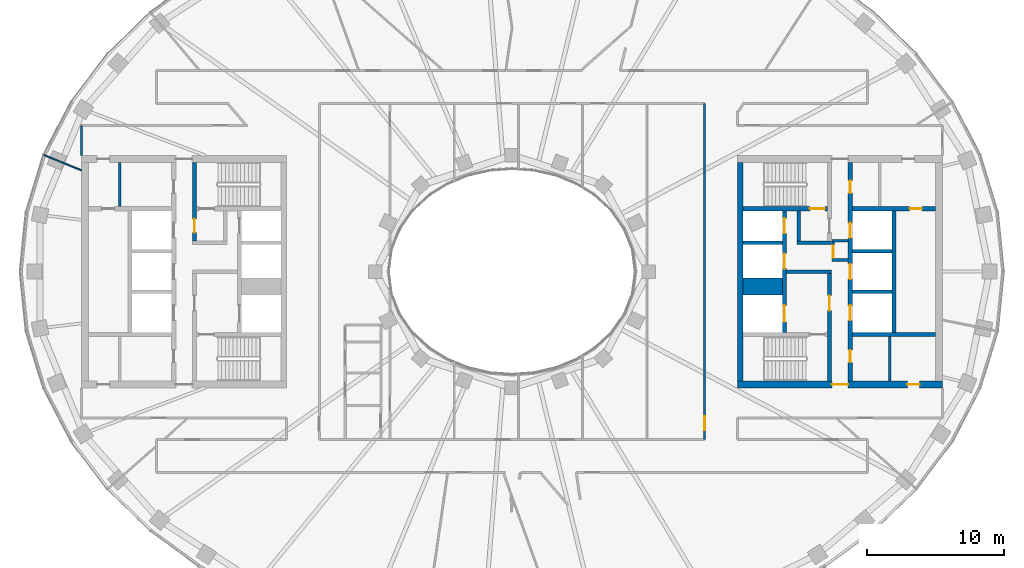
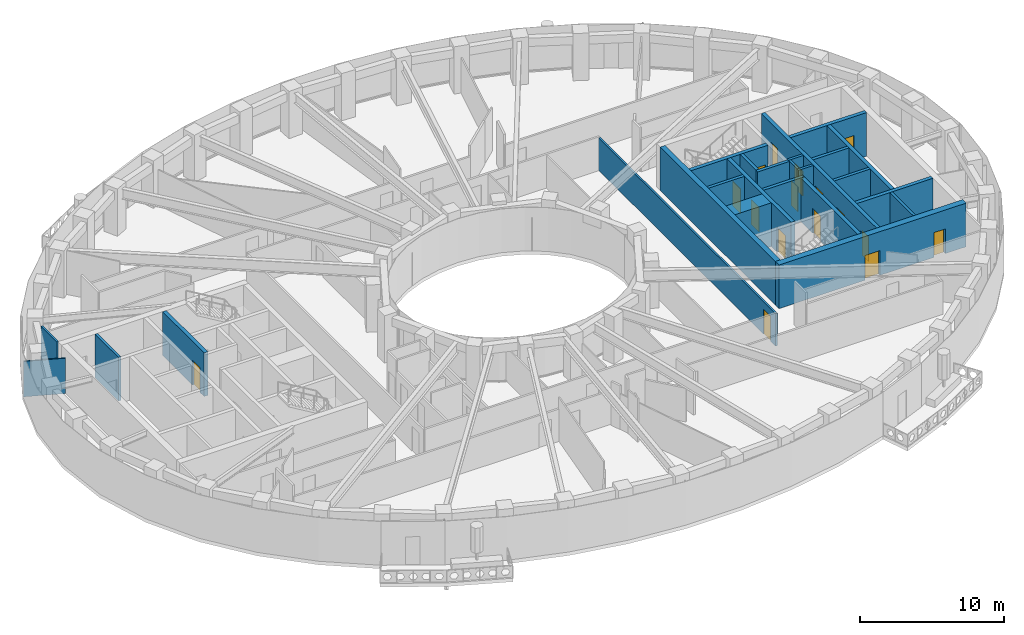
# One storey, part 5 of 15: 25 walls, 16 doors, 16 openings.
"""IFC4 building model written with IfcOpenShell, lengths in metres."""

from ifc_helpers import new_model, si_unit, direction, frame, frame_2d, origin, place, context, subcontext, project, spatial, rectangle, extrude, material, layer, layer_set, type_object, element, fill, save


model = new_model("IFC4")

# Units and contexts
model_context = context("Model", 3, precision=1e-05, world=origin(), true_north=direction((0.0, 1.0)))
body_context = subcontext(model_context, "Body", "Model", "MODEL_VIEW")
ifc_project = project(units=[si_unit("LENGTHUNIT", "METRE"), si_unit("AREAUNIT", "SQUARE_METRE"), si_unit("VOLUMEUNIT", "CUBIC_METRE"), si_unit("PLANEANGLEUNIT", "RADIAN"), si_unit("MASSUNIT", "GRAM", prefix="KILO")], contexts=[model_context])

# Site, building, storey
site_placement = place(None, origin())
site = spatial("IfcSite", under=ifc_project, at=site_placement, CompositionType="ELEMENT")
building_placement = place(site_placement, origin())
building = spatial("IfcBuilding", under=site, at=building_placement, Name="Noorbagh Ring Tower", CompositionType="ELEMENT")
storey_placement = place(building_placement, frame((0.0, 0.0, 253.5)))
storey = spatial("IfcBuildingStorey", under=building, at=storey_placement, Name="L53", CompositionType="ELEMENT", Elevation=253.5)

# Walls
ifc_material_1 = material(Name="Gypsum board on steel studs", Category="steel")
ifc_layer_1 = layer(ifc_material_1, 0.199951171875)
ifc_layer_set_1 = layer_set([ifc_layer_1], Name="Gypsum board on steel studs")
wall_type_1 = type_object("IfcWallType", Name="CORE-PARTITION-200", PredefinedType="PARTITIONING", material=ifc_layer_set_1)
wall_1_placement = place(storey_placement, frame((-28.699951171875, 4.75, 0.0), z_axis=(0.0, 0.0, 1.0), x_axis=(0.0, 1.0, 0.0)))
element("IfcWall", 1, at=wall_1_placement, inside=storey, type_object=wall_type_1, Name="Core partition W", PredefinedType="PARTITIONING", context=body_context, shape_type="SweptSolid", body=[
    extrude(rectangle(XDim=3.25, YDim=0.199951171875, at=frame_2d((1.625, 0.0))), origin(), (0.0, 0.0, 1.0), 3.699951171875),
])
for number, where, z_axis, x_axis, name in (
    (2, (23.39990234375, 0.85009765625, 0.0), (0.0, 0.0, 1.0), (1.0, 0.0, 0.0), "Core partition E"),
    (3, (23.39990234375, 2.25, 0.0), (0.0, 0.0, 1.0), (1.0, 0.0, 0.0), "Core partition E"),
):
    element("IfcWall", number, at=place(storey_placement, frame(where, z_axis=z_axis, x_axis=x_axis)), inside=storey, type_object=wall_type_1, Name=name, PredefinedType="PARTITIONING", context=body_context, shape_type="SweptSolid", body=[
        extrude(rectangle(XDim=1.2001953125, YDim=0.199951171875, at=frame_2d((0.60009765625, 0.0))), origin(), (0.0, 0.0, 1.0), 3.699951171875),
    ])

# Wall, opening, door
wall_2_placement = place(storey_placement, frame((23.5, 0.75, 0.0), z_axis=(0.0, 0.0, 1.0), x_axis=(0.0, 1.0, 0.0)))
wall_2 = element("IfcWall", 4, at=wall_2_placement, inside=storey, type_object=wall_type_1, Name="Core partition E", PredefinedType="PARTITIONING", context=body_context, shape_type="SweptSolid", body=[
    extrude(rectangle(XDim=1.60009765625, YDim=0.199951171875, at=frame_2d((0.800048828125, 0.0))), origin(), (0.0, 0.0, 1.0), 3.699951171875),
])
opening_1_placement = place(wall_2_placement, frame((0.25, 0.0, 0.0)))
opening_1 = element("IfcOpeningElement", 5, at=opening_1_placement, cuts=wall_2, Name="Opening L53-CE17", PredefinedType="OPENING", context=body_context, shape_type="SweptSolid", body=[
    extrude(rectangle(XDim=0.89990234375, YDim=2.10009765625, at=frame_2d((0.449951171875, 1.050048828125))), frame((0.0, 0.10986328125, 0.0), z_axis=(0.0, -1.0, 0.0), x_axis=(1.0, 0.0, 0.0)), (0.0, 0.0, 1.0), 0.219970703125),
])
ifc_material_2 = material(Name="Steel door leaf", Category="steel")
door_type_1 = type_object("IfcDoorType", Name="CORE-DOOR-DROOM", OperationType="SINGLE_SWING_LEFT", PredefinedType="DOOR", material=ifc_material_2)
door_1_placement = place(opening_1_placement, origin())
door_1 = element("IfcDoor", 6, at=door_1_placement, inside=storey, type_object=door_type_1, Name="Core room door L53-CE17", OperationType="SINGLE_SWING_LEFT", OverallHeight=2.10009765625, OverallWidth=0.89990234375, PredefinedType="DOOR", context=body_context, shape_type="SweptSolid", body=[
    extrude(rectangle(XDim=0.89990234375, YDim=2.10009765625, at=frame_2d((0.449951171875, 1.050048828125))), frame((0.0, 0.02490234375, 0.0), z_axis=(0.0, -1.0, 0.0), x_axis=(1.0, 0.0, 0.0)), (0.0, 0.0, 1.0), 0.050048828125),
])
fill(opening_1, door_1)

# Walls
wall_3_placement = place(storey_placement, frame((27.64990234375, -8.0, 0.0), z_axis=(0.0, 0.0, 1.0), x_axis=(0.0, 1.0, 0.0)))
element("IfcWall", 7, at=wall_3_placement, inside=storey, type_object=wall_type_1, Name="Core partition E", PredefinedType="PARTITIONING", context=body_context, shape_type="SweptSolid", body=[
    extrude(rectangle(XDim=3.25, YDim=0.199951171875, at=frame_2d((1.625, 0.0))), origin(), (0.0, 0.0, 1.0), 3.699951171875),
])
ifc_material_3 = material(Name="Concrete C60/75", Category="concrete")
ifc_layer_2 = layer(ifc_material_3, 1.25)
ifc_layer_set_2 = layer_set([ifc_layer_2], Name="Concrete C60/75")
wall_type_2 = type_object("IfcWallType", Name="CORE-WALL-1250-C60-75-EI120", PredefinedType="SHEAR", material=ifc_layer_set_2)
wall_4_placement = place(storey_placement, frame((16.89990234375, -1.074951171875, 0.0), z_axis=(0.0, 0.0, 1.0), x_axis=(1.0, 0.0, 0.0)))
element("IfcWall", 8, at=wall_4_placement, inside=storey, type_object=wall_type_2, Name="Core wall E", PredefinedType="SHEAR", context=body_context, shape_type="SweptSolid", body=[
    extrude(rectangle(XDim=2.900146484375, YDim=1.25, at=frame_2d((1.4501953125, 0.0))), origin(), (0.0, 0.0, 1.0), 3.699951171875),
])
ifc_material_4 = material(Name="Concrete C60/75", Category="concrete")
ifc_layer_3 = layer(ifc_material_4, 0.25)
ifc_layer_set_3 = layer_set([ifc_layer_3], Name="Concrete C60/75")
wall_type_3 = type_object("IfcWallType", Name="CORE-WALL-250-C60-75-EI120", PredefinedType="SHEAR", material=ifc_layer_set_3)
for number, where, z_axis, x_axis, name in (
    (9, (16.89990234375, 2.125, 0.0), (0.0, 0.0, 1.0), (1.0, 0.0, 0.0), "Core wall E"),
    (10, (24.89990234375, -1.47509765625, 0.0), (0.0, 0.0, 1.0), (1.0, 0.0, 0.0), "Core wall E"),
    (11, (24.89990234375, 1.47509765625, 0.0), (0.0, 0.0, 1.0), (1.0, 0.0, 0.0), "Core wall E"),
):
    element("IfcWall", number, at=place(storey_placement, frame(where, z_axis=z_axis, x_axis=x_axis)), inside=storey, type_object=wall_type_3, Name=name, PredefinedType="SHEAR", context=body_context, shape_type="SweptSolid", body=[
        extrude(rectangle(XDim=2.900146484375, YDim=0.25, at=frame_2d((1.4501953125, 0.0))), origin(), (0.0, 0.0, 1.0), 3.699951171875),
    ])
ifc_material_5 = material(Name="Concrete C60/75", Category="concrete")
ifc_layer_4 = layer(ifc_material_5, 0.25)
ifc_layer_set_4 = layer_set([ifc_layer_4], Name="Concrete C60/75")
wall_type_4 = type_object("IfcWallType", Name="CORE-WALL-250-C60-75-EI240", PredefinedType="SHEAR", material=ifc_layer_set_4)
wall_5_placement = place(storey_placement, frame((20.10009765625, 0.0, 0.0), z_axis=(0.0, 0.0, 1.0), x_axis=(1.0, 0.0, 0.0)))
element("IfcWall", 12, at=wall_5_placement, inside=storey, type_object=wall_type_4, Name="Core wall E", PredefinedType="SHEAR", context=body_context, shape_type="SweptSolid", body=[
    extrude(rectangle(XDim=3.27978515625, YDim=0.25, at=frame_2d((1.639892578125, 0.0))), origin(), (0.0, 0.0, 1.0), 3.699951171875),
])
wall_6_placement = place(storey_placement, frame((20.85009765625, 2.125, 0.0), z_axis=(0.0, 0.0, 1.0), x_axis=(1.0, 0.0, 0.0)))
element("IfcWall", 13, at=wall_6_placement, inside=storey, type_object=wall_type_4, Name="Core wall E", PredefinedType="SHEAR", context=body_context, shape_type="SweptSolid", body=[
    extrude(rectangle(XDim=2.52978515625, YDim=0.25, at=frame_2d((1.264892578125, 0.0))), origin(), (0.0, 0.0, 1.0), 3.699951171875),
])
wall_7_placement = place(storey_placement, frame((20.97509765625, 2.25, 0.0), z_axis=(0.0, 0.0, 1.0), x_axis=(0.0, 1.0, 0.0)))
element("IfcWall", 14, at=wall_7_placement, inside=storey, type_object=wall_type_4, Name="Core wall E", PredefinedType="SHEAR", context=body_context, shape_type="SweptSolid", body=[
    extrude(rectangle(XDim=2.199951171875, YDim=0.25, at=frame_2d((1.10009765625, 0.0))), origin(), (0.0, 0.0, 1.0), 3.699951171875),
])
ifc_material_6 = material(Name="Concrete C60/75", Category="concrete")
ifc_layer_5 = layer(ifc_material_6, 0.300048828125)
ifc_layer_set_5 = layer_set([ifc_layer_5], Name="Concrete C60/75")
wall_type_5 = type_object("IfcWallType", Name="CORE-WALL-300-C60-75-EI120", PredefinedType="SHEAR", material=ifc_layer_set_5)
wall_8_placement = place(storey_placement, frame((27.949951171875, -4.449951171875, 0.0), z_axis=(0.0, 0.0, 1.0), x_axis=(0.0, 1.0, 0.0)))
element("IfcWall", 15, at=wall_8_placement, inside=storey, type_object=wall_type_5, Name="Core wall E", PredefinedType="SHEAR", context=body_context, shape_type="SweptSolid", body=[
    extrude(rectangle(XDim=8.89990234375, YDim=0.300048828125, at=frame_2d((4.449951171875, 0.0))), origin(), (0.0, 0.0, 1.0), 3.699951171875),
])

# Wall, openings, doors
wall_9_placement = place(storey_placement, frame((19.949951171875, -4.449951171875, 0.0), z_axis=(0.0, 0.0, 1.0), x_axis=(0.0, 1.0, 0.0)))
wall_9 = element("IfcWall", 16, at=wall_9_placement, inside=storey, type_object=wall_type_5, Name="Core wall E", PredefinedType="SHEAR", context=body_context, shape_type="SweptSolid", body=[
    extrude(rectangle(XDim=8.89990234375, YDim=0.300048828125, at=frame_2d((4.449951171875, 0.0))), origin(), (0.0, 0.0, 1.0), 3.699951171875),
])
opening_2_placement = place(wall_9_placement, frame((0.77490234375, 0.0, 0.0)))
opening_2 = element("IfcOpeningElement", 17, at=opening_2_placement, cuts=wall_9, Name="Opening L53-CE01", PredefinedType="OPENING", context=body_context, shape_type="SweptSolid", body=[
    extrude(rectangle(XDim=1.199951171875, YDim=2.10009765625, at=frame_2d((0.60009765625, 1.050048828125))), frame((0.0, 0.16015625, 0.0), z_axis=(0.0, -1.0, 0.0), x_axis=(1.0, 0.0, 0.0)), (0.0, 0.0, 1.0), 0.320068359375),
])
opening_3_placement = place(wall_9_placement, frame((4.675048828125, 0.0, 0.0)))
opening_3 = element("IfcOpeningElement", 18, at=opening_3_placement, cuts=wall_9, Name="Opening L53-CE02", PredefinedType="OPENING", context=body_context, shape_type="SweptSolid", body=[
    extrude(rectangle(XDim=1.10009765625, YDim=2.10009765625, at=frame_2d((0.550048828125, 1.050048828125))), frame((0.0, 0.16015625, 0.0), z_axis=(0.0, -1.0, 0.0), x_axis=(1.0, 0.0, 0.0)), (0.0, 0.0, 1.0), 0.320068359375),
])
opening_4_placement = place(wall_9_placement, frame((7.25, 0.0, 0.0)))
opening_4 = element("IfcOpeningElement", 19, at=opening_4_placement, cuts=wall_9, Name="Opening L53-CE03", PredefinedType="OPENING", context=body_context, shape_type="SweptSolid", body=[
    extrude(rectangle(XDim=1.10009765625, YDim=2.10009765625, at=frame_2d((0.550048828125, 1.050048828125))), frame((0.0, 0.16015625, 0.0), z_axis=(0.0, -1.0, 0.0), x_axis=(1.0, 0.0, 0.0)), (0.0, 0.0, 1.0), 0.320068359375),
])
ifc_material_7 = material(Name="Steel door leaf", Category="steel")
door_type_2 = type_object("IfcDoorType", Name="CORE-DOOR-LD", OperationType="DOUBLE_DOOR_SLIDING", PredefinedType="DOOR", material=ifc_material_7)
door_2_placement = place(opening_3_placement, origin())
door_2 = element("IfcDoor", 20, at=door_2_placement, inside=storey, type_object=door_type_2, Name="Landing door HR7 L53-CE02", OperationType="DOUBLE_DOOR_SLIDING", OverallHeight=2.10009765625, OverallWidth=1.10009765625, PredefinedType="DOOR", context=body_context, shape_type="SweptSolid", body=[
    extrude(rectangle(XDim=1.10009765625, YDim=2.10009765625, at=frame_2d((0.550048828125, 1.050048828125))), frame((0.0, 0.02490234375, 0.0), z_axis=(0.0, -1.0, 0.0), x_axis=(1.0, 0.0, 0.0)), (0.0, 0.0, 1.0), 0.050048828125),
])
fill(opening_3, door_2)
door_3_placement = place(opening_4_placement, origin())
door_3 = element("IfcDoor", 21, at=door_3_placement, inside=storey, type_object=door_type_2, Name="Landing door HR8 L53-CE03", OperationType="DOUBLE_DOOR_SLIDING", OverallHeight=2.10009765625, OverallWidth=1.10009765625, PredefinedType="DOOR", context=body_context, shape_type="SweptSolid", body=[
    extrude(rectangle(XDim=1.10009765625, YDim=2.10009765625, at=frame_2d((0.550048828125, 1.050048828125))), frame((0.0, 0.02490234375, 0.0), z_axis=(0.0, -1.0, 0.0), x_axis=(1.0, 0.0, 0.0)), (0.0, 0.0, 1.0), 0.050048828125),
])
fill(opening_4, door_3)
ifc_material_8 = material(Name="Steel door leaf", Category="steel")
door_type_3 = type_object("IfcDoorType", Name="CORE-DOOR-LDW", OperationType="DOUBLE_DOOR_SLIDING", PredefinedType="DOOR", material=ifc_material_8)
door_4_placement = place(opening_2_placement, origin())
door_4 = element("IfcDoor", 22, at=door_4_placement, inside=storey, type_object=door_type_3, Name="Landing door FF2 L53-CE01", OperationType="DOUBLE_DOOR_SLIDING", OverallHeight=2.10009765625, OverallWidth=1.199951171875, PredefinedType="DOOR", context=body_context, shape_type="SweptSolid", body=[
    extrude(rectangle(XDim=1.199951171875, YDim=2.10009765625, at=frame_2d((0.60009765625, 1.050048828125))), frame((0.0, 0.02490234375, 0.0), z_axis=(0.0, -1.0, 0.0), x_axis=(1.0, 0.0, 0.0)), (0.0, 0.0, 1.0), 0.050048828125),
])
fill(opening_2, door_4)

wall_10_placement = place(storey_placement, frame((24.75, -8.0, 0.0), z_axis=(0.0, 0.0, 1.0), x_axis=(0.0, 1.0, 0.0)))
wall_10 = element("IfcWall", 23, at=wall_10_placement, inside=storey, type_object=wall_type_5, Name="Core wall E", PredefinedType="SHEAR", context=body_context, shape_type="SweptSolid", body=[
    extrude(rectangle(XDim=16.0, YDim=0.300048828125, at=frame_2d((8.0, 0.0))), origin(), (0.0, 0.0, 1.0), 3.699951171875),
])
opening_5_placement = place(wall_10_placement, frame((4.425048828125, 0.0, 0.0)))
opening_5 = element("IfcOpeningElement", 24, at=opening_5_placement, cuts=wall_10, Name="Opening L53-CE04", PredefinedType="OPENING", context=body_context, shape_type="SweptSolid", body=[
    extrude(rectangle(XDim=1.10009765625, YDim=2.10009765625, at=frame_2d((0.550048828125, 1.050048828125))), frame((0.0, 0.16015625, 0.0), z_axis=(0.0, -1.0, 0.0), x_axis=(1.0, 0.0, 0.0)), (0.0, 0.0, 1.0), 0.320068359375),
])
opening_6_placement = place(wall_10_placement, frame((7.449951171875, 0.0, 0.0)))
opening_6 = element("IfcOpeningElement", 25, at=opening_6_placement, cuts=wall_10, Name="Opening L53-CE05", PredefinedType="OPENING", context=body_context, shape_type="SweptSolid", body=[
    extrude(rectangle(XDim=1.10009765625, YDim=2.10009765625, at=frame_2d((0.550048828125, 1.050048828125))), frame((0.0, 0.16015625, 0.0), z_axis=(0.0, -1.0, 0.0), x_axis=(1.0, 0.0, 0.0)), (0.0, 0.0, 1.0), 0.320068359375),
])
opening_7_placement = place(wall_10_placement, frame((10.47509765625, 0.0, 0.0)))
opening_7 = element("IfcOpeningElement", 26, at=opening_7_placement, cuts=wall_10, Name="Opening L53-CE06", PredefinedType="OPENING", context=body_context, shape_type="SweptSolid", body=[
    extrude(rectangle(XDim=1.10009765625, YDim=2.10009765625, at=frame_2d((0.550048828125, 1.050048828125))), frame((0.0, 0.16015625, 0.0), z_axis=(0.0, -1.0, 0.0), x_axis=(1.0, 0.0, 0.0)), (0.0, 0.0, 1.0), 0.320068359375),
])
opening_8_placement = place(wall_10_placement, frame((13.75, 0.0, 0.0)))
opening_8 = element("IfcOpeningElement", 27, at=opening_8_placement, cuts=wall_10, Name="Opening L53-CE13", PredefinedType="OPENING", context=body_context, shape_type="SweptSolid", body=[
    extrude(rectangle(XDim=0.89990234375, YDim=2.10009765625, at=frame_2d((0.449951171875, 1.050048828125))), frame((0.0, 0.16015625, 0.0), z_axis=(0.0, -1.0, 0.0), x_axis=(1.0, 0.0, 0.0)), (0.0, 0.0, 1.0), 0.320068359375),
])
opening_9_placement = place(wall_10_placement, frame((1.35009765625, 0.0, 0.0)))
opening_9 = element("IfcOpeningElement", 28, at=opening_9_placement, cuts=wall_10, Name="Opening L53-CE15", PredefinedType="OPENING", context=body_context, shape_type="SweptSolid", body=[
    extrude(rectangle(XDim=0.89990234375, YDim=2.10009765625, at=frame_2d((0.449951171875, 1.050048828125))), frame((0.0, 0.16015625, 0.0), z_axis=(0.0, -1.0, 0.0), x_axis=(1.0, 0.0, 0.0)), (0.0, 0.0, 1.0), 0.320068359375),
])
door_5_placement = place(opening_8_placement, origin())
door_5 = element("IfcDoor", 29, at=door_5_placement, inside=storey, type_object=door_type_1, Name="Core room door L53-CE13", OperationType="SINGLE_SWING_LEFT", OverallHeight=2.10009765625, OverallWidth=0.89990234375, PredefinedType="DOOR", context=body_context, shape_type="SweptSolid", body=[
    extrude(rectangle(XDim=0.89990234375, YDim=2.10009765625, at=frame_2d((0.449951171875, 1.050048828125))), frame((0.0, 0.02490234375, 0.0), z_axis=(0.0, -1.0, 0.0), x_axis=(1.0, 0.0, 0.0)), (0.0, 0.0, 1.0), 0.050048828125),
])
fill(opening_8, door_5)
door_6_placement = place(opening_9_placement, origin())
door_6 = element("IfcDoor", 30, at=door_6_placement, inside=storey, type_object=door_type_1, Name="Core room door L53-CE15", OperationType="SINGLE_SWING_RIGHT", OverallHeight=2.10009765625, OverallWidth=0.89990234375, PredefinedType="DOOR", context=body_context, shape_type="SweptSolid", body=[
    extrude(rectangle(XDim=0.89990234375, YDim=2.10009765625, at=frame_2d((0.449951171875, 1.050048828125))), frame((0.0, 0.02490234375, 0.0), z_axis=(0.0, -1.0, 0.0), x_axis=(1.0, 0.0, 0.0)), (0.0, 0.0, 1.0), 0.050048828125),
])
fill(opening_9, door_6)
door_7_placement = place(opening_5_placement, origin())
door_7 = element("IfcDoor", 31, at=door_7_placement, inside=storey, type_object=door_type_2, Name="Landing door HR9 L53-CE04", OperationType="DOUBLE_DOOR_SLIDING", OverallHeight=2.10009765625, OverallWidth=1.10009765625, PredefinedType="DOOR", context=body_context, shape_type="SweptSolid", body=[
    extrude(rectangle(XDim=1.10009765625, YDim=2.10009765625, at=frame_2d((0.550048828125, 1.050048828125))), frame((0.0, 0.02490234375, 0.0), z_axis=(0.0, -1.0, 0.0), x_axis=(1.0, 0.0, 0.0)), (0.0, 0.0, 1.0), 0.050048828125),
])
fill(opening_5, door_7)
door_8_placement = place(opening_6_placement, origin())
door_8 = element("IfcDoor", 32, at=door_8_placement, inside=storey, type_object=door_type_2, Name="Landing door HR10 L53-CE05", OperationType="DOUBLE_DOOR_SLIDING", OverallHeight=2.10009765625, OverallWidth=1.10009765625, PredefinedType="DOOR", context=body_context, shape_type="SweptSolid", body=[
    extrude(rectangle(XDim=1.10009765625, YDim=2.10009765625, at=frame_2d((0.550048828125, 1.050048828125))), frame((0.0, 0.02490234375, 0.0), z_axis=(0.0, -1.0, 0.0), x_axis=(1.0, 0.0, 0.0)), (0.0, 0.0, 1.0), 0.050048828125),
])
fill(opening_6, door_8)
door_9_placement = place(opening_7_placement, origin())
door_9 = element("IfcDoor", 33, at=door_9_placement, inside=storey, type_object=door_type_2, Name="Landing door HR11 L53-CE06", OperationType="DOUBLE_DOOR_SLIDING", OverallHeight=2.10009765625, OverallWidth=1.10009765625, PredefinedType="DOOR", context=body_context, shape_type="SweptSolid", body=[
    extrude(rectangle(XDim=1.10009765625, YDim=2.10009765625, at=frame_2d((0.550048828125, 1.050048828125))), frame((0.0, 0.02490234375, 0.0), z_axis=(0.0, -1.0, 0.0), x_axis=(1.0, 0.0, 0.0)), (0.0, 0.0, 1.0), 0.050048828125),
])
fill(opening_7, door_9)

# Wall, opening, door
ifc_material_9 = material(Name="Concrete C60/75", Category="concrete")
ifc_layer_6 = layer(ifc_material_9, 0.300048828125)
ifc_layer_set_6 = layer_set([ifc_layer_6], Name="Concrete C60/75")
wall_type_6 = type_object("IfcWallType", Name="CORE-WALL-300-C60-75-EI240", PredefinedType="SHEAR", material=ifc_layer_set_6)
wall_11_placement = place(storey_placement, frame((-23.22998046875, 2.25, 0.0), z_axis=(0.0, 0.0, 1.0), x_axis=(0.0, 1.0, 0.0)))
wall_11 = element("IfcWall", 34, at=wall_11_placement, inside=storey, type_object=wall_type_6, Name="Core wall W", PredefinedType="SHEAR", context=body_context, shape_type="SweptSolid", body=[
    extrude(rectangle(XDim=5.75, YDim=0.300048828125, at=frame_2d((2.875, 0.0))), origin(), (0.0, 0.0, 1.0), 3.699951171875),
])
opening_10_placement = place(wall_11_placement, frame((0.60009765625, 0.0, 0.0)))
opening_10 = element("IfcOpeningElement", 35, at=opening_10_placement, cuts=wall_11, Name="Opening L53-CW09", PredefinedType="OPENING", context=body_context, shape_type="SweptSolid", body=[
    extrude(rectangle(XDim=1.0, YDim=2.10009765625, at=frame_2d((0.5, 1.050048828125))), frame((0.0, 0.16015625, 0.0), z_axis=(0.0, -1.0, 0.0), x_axis=(1.0, 0.0, 0.0)), (0.0, 0.0, 1.0), 0.320068359375),
])
ifc_material_10 = material(Name="Steel door leaf", Category="steel")
door_type_4 = type_object("IfcDoorType", Name="CORE-DOOR-DVEST", OperationType="SINGLE_SWING_LEFT", PredefinedType="DOOR", material=ifc_material_10)
door_10_placement = place(opening_10_placement, origin())
door_10 = element("IfcDoor", 36, at=door_10_placement, inside=storey, type_object=door_type_4, Name="Stair vestibule door L53-CW09", OperationType="SINGLE_SWING_LEFT", OverallHeight=2.10009765625, OverallWidth=1.0, PredefinedType="DOOR", context=body_context, shape_type="SweptSolid", body=[
    extrude(rectangle(XDim=1.0, YDim=2.10009765625, at=frame_2d((0.5, 1.050048828125))), frame((0.0, 0.02490234375, 0.0), z_axis=(0.0, -1.0, 0.0), x_axis=(1.0, 0.0, 0.0)), (0.0, 0.0, 1.0), 0.050048828125),
])
fill(opening_10, door_10)

wall_12_placement = place(storey_placement, frame((24.89990234375, 4.60009765625, 0.0), z_axis=(0.0, 0.0, 1.0), x_axis=(1.0, 0.0, 0.0)))
wall_12 = element("IfcWall", 37, at=wall_12_placement, inside=storey, type_object=wall_type_6, Name="Core wall E", PredefinedType="SHEAR", context=body_context, shape_type="SweptSolid", body=[
    extrude(rectangle(XDim=6.10009765625, YDim=0.300048828125, at=frame_2d((3.050048828125, 0.0))), origin(), (0.0, 0.0, 1.0), 3.699951171875),
])
opening_11_placement = place(wall_12_placement, frame((4.199951171875, 0.0, 0.0)))
opening_11 = element("IfcOpeningElement", 38, at=opening_11_placement, cuts=wall_12, Name="Opening L53-CE18", PredefinedType="OPENING", context=body_context, shape_type="SweptSolid", body=[
    extrude(rectangle(XDim=0.89990234375, YDim=2.10009765625, at=frame_2d((0.449951171875, 1.050048828125))), frame((0.0, 0.16015625, 0.0), z_axis=(0.0, -1.0, 0.0), x_axis=(1.0, 0.0, 0.0)), (0.0, 0.0, 1.0), 0.320068359375),
])
door_11_placement = place(opening_11_placement, origin())
door_11 = element("IfcDoor", 39, at=door_11_placement, inside=storey, type_object=door_type_1, Name="Core room door L53-CE18", OperationType="SINGLE_SWING_RIGHT", OverallHeight=2.10009765625, OverallWidth=0.89990234375, PredefinedType="DOOR", context=body_context, shape_type="SweptSolid", body=[
    extrude(rectangle(XDim=0.89990234375, YDim=2.10009765625, at=frame_2d((0.449951171875, 1.050048828125))), frame((0.0, 0.02490234375, 0.0), z_axis=(0.0, -1.0, 0.0), x_axis=(1.0, 0.0, 0.0)), (0.0, 0.0, 1.0), 0.050048828125),
])
fill(opening_11, door_11)

# Wall
wall_13_placement = place(storey_placement, frame((24.89990234375, -4.60009765625, 0.0), z_axis=(0.0, 0.0, 1.0), x_axis=(1.0, 0.0, 0.0)))
element("IfcWall", 40, at=wall_13_placement, inside=storey, type_object=wall_type_6, Name="Core wall E", PredefinedType="SHEAR", context=body_context, shape_type="SweptSolid", body=[
    extrude(rectangle(XDim=6.10009765625, YDim=0.300048828125, at=frame_2d((3.050048828125, 0.0))), origin(), (0.0, 0.0, 1.0), 3.699951171875),
])

# Wall, opening, door
wall_14_placement = place(storey_placement, frame((23.22998046875, -8.0, 0.0), z_axis=(0.0, 0.0, 1.0), x_axis=(0.0, 1.0, 0.0)))
wall_14 = element("IfcWall", 41, at=wall_14_placement, inside=storey, type_object=wall_type_6, Name="Core wall E", PredefinedType="SHEAR", context=body_context, shape_type="SweptSolid", body=[
    extrude(rectangle(XDim=7.875, YDim=0.300048828125, at=frame_2d((3.9375, 0.0))), origin(), (0.0, 0.0, 1.0), 3.699951171875),
])
opening_12_placement = place(wall_14_placement, frame((5.14990234375, 0.0, 0.0)))
opening_12 = element("IfcOpeningElement", 42, at=opening_12_placement, cuts=wall_14, Name="Opening L53-CE09", PredefinedType="OPENING", context=body_context, shape_type="SweptSolid", body=[
    extrude(rectangle(XDim=1.10009765625, YDim=2.10009765625, at=frame_2d((0.550048828125, 1.050048828125))), frame((0.0, 0.16015625, 0.0), z_axis=(0.0, -1.0, 0.0), x_axis=(1.0, 0.0, 0.0)), (0.0, 0.0, 1.0), 0.320068359375),
])
ifc_material_11 = material(Name="Steel door leaf", Category="steel")
door_type_5 = type_object("IfcDoorType", Name="CORE-DOOR-DFF", OperationType="SINGLE_SWING_LEFT", PredefinedType="DOOR", material=ifc_material_11)
door_12_placement = place(opening_12_placement, origin())
door_12 = element("IfcDoor", 43, at=door_12_placement, inside=storey, type_object=door_type_5, Name="Firefighting lobby door L53-CE09", OperationType="SINGLE_SWING_RIGHT", OverallHeight=2.10009765625, OverallWidth=1.10009765625, PredefinedType="DOOR", context=body_context, shape_type="SweptSolid", body=[
    extrude(rectangle(XDim=1.10009765625, YDim=2.10009765625, at=frame_2d((0.550048828125, 1.050048828125))), frame((0.0, 0.02490234375, 0.0), z_axis=(0.0, -1.0, 0.0), x_axis=(1.0, 0.0, 0.0)), (0.0, 0.0, 1.0), 0.050048828125),
])
fill(opening_12, door_12)

wall_15_placement = place(storey_placement, frame((16.89990234375, 4.60009765625, 0.0), z_axis=(0.0, 0.0, 1.0), x_axis=(1.0, 0.0, 0.0)))
wall_15 = element("IfcWall", 44, at=wall_15_placement, inside=storey, type_object=wall_type_6, Name="Core wall E", PredefinedType="SHEAR", context=body_context, shape_type="SweptSolid", body=[
    extrude(rectangle(XDim=6.18017578125, YDim=0.300048828125, at=frame_2d((3.090087890625, 0.0))), origin(), (0.0, 0.0, 1.0), 3.699951171875),
])
opening_13_placement = place(wall_15_placement, frame((4.89990234375, 0.0, 0.0)))
opening_13 = element("IfcOpeningElement", 45, at=opening_13_placement, cuts=wall_15, Name="Opening L53-CE07", PredefinedType="OPENING", context=body_context, shape_type="SweptSolid", body=[
    extrude(rectangle(XDim=1.10009765625, YDim=2.10009765625, at=frame_2d((0.550048828125, 1.050048828125))), frame((0.0, 0.16015625, 0.0), z_axis=(0.0, -1.0, 0.0), x_axis=(1.0, 0.0, 0.0)), (0.0, 0.0, 1.0), 0.320068359375),
])
ifc_material_12 = material(Name="Steel door leaf", Category="steel")
door_type_6 = type_object("IfcDoorType", Name="CORE-DOOR-DSTAIR", OperationType="SINGLE_SWING_LEFT", PredefinedType="DOOR", material=ifc_material_12)
door_13_placement = place(opening_13_placement, origin())
door_13 = element("IfcDoor", 46, at=door_13_placement, inside=storey, type_object=door_type_6, Name="Stair door ST3 L53-CE07", OperationType="SINGLE_SWING_LEFT", OverallHeight=2.10009765625, OverallWidth=1.10009765625, PredefinedType="DOOR", context=body_context, shape_type="SweptSolid", body=[
    extrude(rectangle(XDim=1.10009765625, YDim=2.10009765625, at=frame_2d((0.550048828125, 1.050048828125))), frame((0.0, 0.02490234375, 0.0), z_axis=(0.0, -1.0, 0.0), x_axis=(1.0, 0.0, 0.0)), (0.0, 0.0, 1.0), 0.050048828125),
])
fill(opening_13, door_13)

# Wall
ifc_material_13 = material(Name="Concrete C60/75", Category="concrete")
ifc_layer_7 = layer(ifc_material_13, 0.39990234375)
ifc_layer_set_7 = layer_set([ifc_layer_7], Name="Concrete C60/75")
wall_type_7 = type_object("IfcWallType", Name="CORE-WALL-400-C60-75-EI240", PredefinedType="SHEAR", material=ifc_layer_set_7)
wall_16_placement = place(storey_placement, frame((16.699951171875, -8.0, 0.0), z_axis=(0.0, 0.0, 1.0), x_axis=(0.0, 1.0, 0.0)))
element("IfcWall", 47, at=wall_16_placement, inside=storey, type_object=wall_type_7, Name="Core wall E", PredefinedType="SHEAR", context=body_context, shape_type="SweptSolid", body=[
    extrude(rectangle(XDim=16.0, YDim=0.39990234375, at=frame_2d((8.0, 0.0))), origin(), (0.0, 0.0, 1.0), 3.699951171875),
])

# Wall, openings, doors
ifc_material_14 = material(Name="Concrete C60/75", Category="concrete")
ifc_layer_8 = layer(ifc_material_14, 0.5)
ifc_layer_set_8 = layer_set([ifc_layer_8], Name="Concrete C60/75")
wall_type_8 = type_object("IfcWallType", Name="CORE-WALL-500-C60-75-EI240", PredefinedType="SHEAR", material=ifc_layer_set_8)
wall_17_placement = place(storey_placement, frame((16.5, -8.25, 0.0), z_axis=(0.0, 0.0, 1.0), x_axis=(1.0, 0.0, 0.0)))
wall_17 = element("IfcWall", 48, at=wall_17_placement, inside=storey, type_object=wall_type_8, Name="Core wall E", PredefinedType="SHEAR", context=body_context, shape_type="SweptSolid", body=[
    extrude(rectangle(XDim=15.0, YDim=0.5, at=frame_2d((7.5, 0.0))), origin(), (0.0, 0.0, 1.0), 3.699951171875),
])
opening_14_placement = place(wall_17_placement, frame((6.89990234375, 0.0, 0.0)))
opening_14 = element("IfcOpeningElement", 49, at=opening_14_placement, cuts=wall_17, Name="Opening L53-CE12", PredefinedType="OPENING", context=body_context, shape_type="SweptSolid", body=[
    extrude(rectangle(XDim=1.199951171875, YDim=2.10009765625, at=frame_2d((0.60009765625, 1.050048828125))), frame((0.0, 0.260009765625, 0.0), z_axis=(0.0, -1.0, 0.0), x_axis=(1.0, 0.0, 0.0)), (0.0, 0.0, 1.0), 0.52001953125),
])
opening_15_placement = place(wall_17_placement, frame((12.425048828125, 0.0, 0.0)))
opening_15 = element("IfcOpeningElement", 50, at=opening_15_placement, cuts=wall_17, Name="Opening L53-CE16", PredefinedType="OPENING", context=body_context, shape_type="SweptSolid", body=[
    extrude(rectangle(XDim=0.89990234375, YDim=2.10009765625, at=frame_2d((0.449951171875, 1.050048828125))), frame((0.0, 0.260009765625, 0.0), z_axis=(0.0, -1.0, 0.0), x_axis=(1.0, 0.0, 0.0)), (0.0, 0.0, 1.0), 0.52001953125),
])
door_14_placement = place(opening_15_placement, origin())
door_14 = element("IfcDoor", 51, at=door_14_placement, inside=storey, type_object=door_type_1, Name="Core room door L53-CE16", OperationType="SINGLE_SWING_RIGHT", OverallHeight=2.10009765625, OverallWidth=0.89990234375, PredefinedType="DOOR", context=body_context, shape_type="SweptSolid", body=[
    extrude(rectangle(XDim=0.89990234375, YDim=2.10009765625, at=frame_2d((0.449951171875, 1.050048828125))), frame((0.0, 0.02490234375, 0.0), z_axis=(0.0, -1.0, 0.0), x_axis=(1.0, 0.0, 0.0)), (0.0, 0.0, 1.0), 0.050048828125),
])
fill(opening_15, door_14)
ifc_material_15 = material(Name="Steel door leaf", Category="steel")
door_type_7 = type_object("IfcDoorType", Name="CORE-DOOR-PORT", OperationType="DOUBLE_DOOR_DOUBLE_SWING", PredefinedType="DOOR", material=ifc_material_15)
door_15_placement = place(opening_14_placement, origin())
door_15 = element("IfcDoor", 52, at=door_15_placement, inside=storey, type_object=door_type_7, Name="Core entrance door L53-CE12", OperationType="DOUBLE_DOOR_DOUBLE_SWING", OverallHeight=2.10009765625, OverallWidth=1.199951171875, PredefinedType="DOOR", context=body_context, shape_type="SweptSolid", body=[
    extrude(rectangle(XDim=1.199951171875, YDim=2.10009765625, at=frame_2d((0.60009765625, 1.050048828125))), frame((0.0, 0.02490234375, 0.0), z_axis=(0.0, -1.0, 0.0), x_axis=(1.0, 0.0, 0.0)), (0.0, 0.0, 1.0), 0.050048828125),
])
fill(opening_14, door_15)

# Wall
ifc_material_16 = material(Name="Gypsum board on steel studs", Category="steel")
ifc_layer_9 = layer(ifc_material_16, 0.14990234375)
ifc_layer_set_9 = layer_set([ifc_layer_9], Name="Gypsum board on steel studs")
wall_type_9 = type_object("IfcWallType", Name="CORRIDOR PARTITION 150 EI 30", PredefinedType="PARTITIONING", material=ifc_layer_set_9)
wall_18_placement = place(storey_placement, frame((-31.5, 8.5, 0.0), z_axis=(0.0, 0.0, 1.0), x_axis=(0.0, 1.0, 0.0)))
element("IfcWall", 53, at=wall_18_placement, inside=storey, type_object=wall_type_9, Name="L53/wall/P04", PredefinedType="PARTITIONING", context=body_context, shape_type="SweptSolid", body=[
    extrude(rectangle(XDim=2.199951171875, YDim=0.14990234375, at=frame_2d((1.10009765625, 0.0))), origin(), (0.0, 0.0, 1.0), 3.699951171875),
])

# Wall, opening, door
wall_19_placement = place(storey_placement, frame((14.10009765625, -12.300048828125, 0.0), z_axis=(0.0, 0.0, 1.0), x_axis=(0.0, 1.0, 0.0)))
wall_19 = element("IfcWall", 54, at=wall_19_placement, inside=storey, type_object=wall_type_9, Name="L53/wall/P60", PredefinedType="PARTITIONING", context=body_context, shape_type="SweptSolid", body=[
    extrude(rectangle(XDim=24.60009765625, YDim=0.14990234375, at=frame_2d((12.300048828125, 0.0))), origin(), (0.0, 0.0, 1.0), 2.75),
])
opening_16_placement = place(wall_19_placement, frame((0.699951171875, 0.0, 0.0)))
opening_16 = element("IfcOpeningElement", 55, at=opening_16_placement, cuts=wall_19, Name="Opening D1", PredefinedType="OPENING", context=body_context, shape_type="SweptSolid", body=[
    extrude(rectangle(XDim=1.0, YDim=2.10009765625, at=frame_2d((0.5, 1.050048828125))), frame((0.0, 0.0849609375, 0.0), z_axis=(0.0, -1.0, 0.0), x_axis=(1.0, 0.0, 0.0)), (0.0, 0.0, 1.0), 0.169921875),
])
ifc_material_17 = material(Name="Timber, painted", Category="wood")
door_type_8 = type_object("IfcDoorType", Name="DOOR 1000 X 2100 FD30", OperationType="SINGLE_SWING_LEFT", PredefinedType="DOOR", material=ifc_material_17)
door_16_placement = place(opening_16_placement, origin())
door_16 = element("IfcDoor", 56, at=door_16_placement, inside=storey, type_object=door_type_8, Name="L53-D28", OperationType="SINGLE_SWING_RIGHT", OverallHeight=2.10009765625, OverallWidth=1.0, PredefinedType="DOOR", context=body_context, shape_type="SweptSolid", body=[
    extrude(rectangle(XDim=1.0, YDim=2.10009765625, at=frame_2d((0.5, 1.050048828125))), frame((0.0, 0.02490234375, 0.0), z_axis=(0.0, -1.0, 0.0), x_axis=(1.0, 0.0, 0.0)), (0.0, 0.0, 1.0), 0.050048828125),
])
fill(opening_16, door_16)

# Wall
ifc_material_18 = material(Name="Gypsum board on steel studs", Category="steel")
ifc_layer_10 = layer(ifc_material_18, 0.10009765625)
ifc_layer_set_10 = layer_set([ifc_layer_10], Name="Gypsum board on steel studs")
wall_type_10 = type_object("IfcWallType", Name="PARTITION 100 GYPSUM", PredefinedType="PARTITIONING", material=ifc_layer_set_10)
wall_20_placement = place(storey_placement, frame((-34.23388671875, 8.530029296875, 0.0), z_axis=(0.0, 0.0, 1.0), x_axis=(0.925344112436, -0.379128307542, 0.0)))
element("IfcWall", 57, at=wall_20_placement, inside=storey, type_object=wall_type_10, Name="L53/wall/P01", PredefinedType="PARTITIONING", context=body_context, shape_type="SweptSolid", body=[
    extrude(rectangle(XDim=2.954345703125, YDim=0.10009765625, at=frame_2d((1.47705078125, 0.0))), origin(), (0.0, 0.0, 1.0), 3.0),
])

save(model, "model.ifc")
